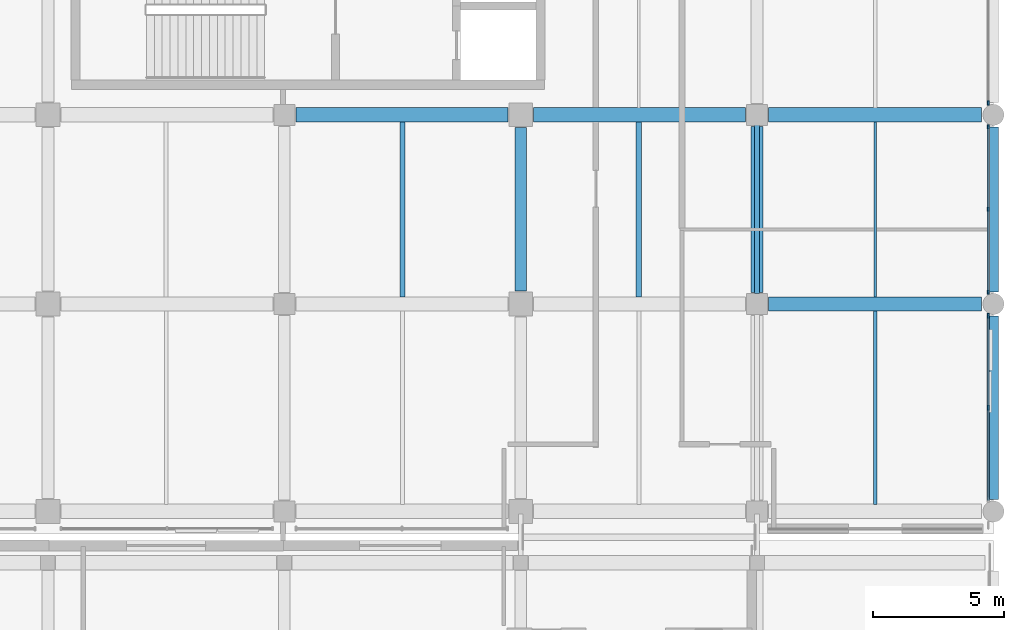
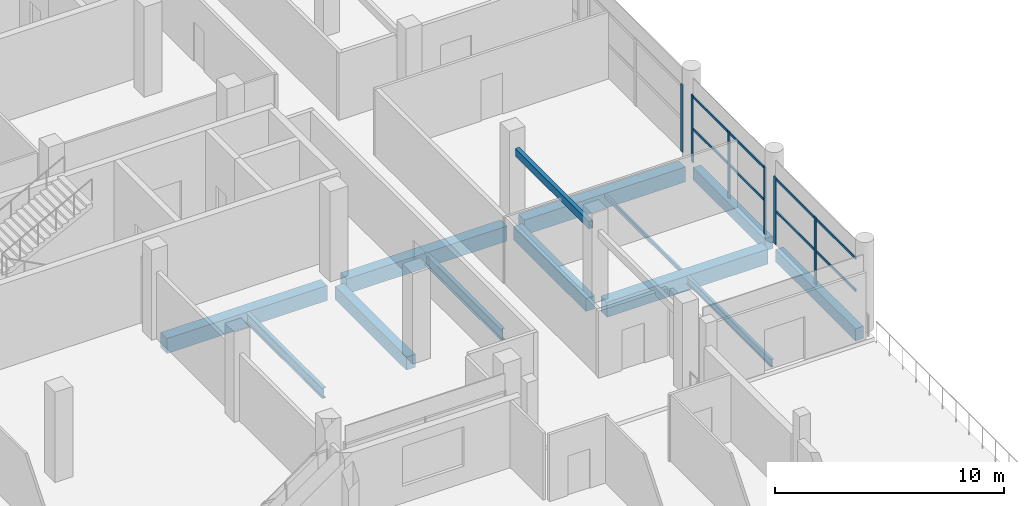
# One storey, part 31 of 111: 12 beams, 11 members, 3 elements without a shape of their own.
"""IFC4 building model written with IfcOpenShell, lengths in metres."""

from ifc_helpers import new_model, si_unit, direction, frame, origin, origin_2d, place, context, subcontext, project, spatial, rectangle, hollow_rectangle, i_section, extrude, material, material_profile, profile_set, type_object, element, aggregate, save


model = new_model("IFC4")

# Units and contexts
model_context = context("Model", 3, precision=1e-05, world=origin(), true_north=direction((0.0, 1.0)))
body_context = subcontext(model_context, "Body", "Model", "MODEL_VIEW")
ifc_project = project(units=[si_unit("LENGTHUNIT", "METRE"), si_unit("AREAUNIT", "SQUARE_METRE"), si_unit("VOLUMEUNIT", "CUBIC_METRE"), si_unit("PLANEANGLEUNIT", "RADIAN"), si_unit("MASSUNIT", "GRAM", prefix="KILO"), si_unit("THERMODYNAMICTEMPERATUREUNIT", "KELVIN"), si_unit("POWERUNIT", "WATT")], contexts=[model_context])

# Site, building, storey
site_placement = place(None, origin())
site = spatial("IfcSite", under=ifc_project, at=site_placement, CompositionType="ELEMENT")
building_placement = place(site_placement, origin())
building = spatial("IfcBuilding", under=site, at=building_placement, Name="Sindhuravela Promenade Stadium", CompositionType="ELEMENT")
storey_placement = place(building_placement, frame((0.0, 0.0, 9.60009765625)))
storey = spatial("IfcBuildingStorey", under=building, at=storey_placement, Name="L02", CompositionType="ELEMENT", Elevation=9.60009765625)

# Curtain wall, member
ifc_material_1 = material(Name="Anodised architectural aluminium 6063-T6", Category="aluminium")
curtain_wall_type_1 = type_object("IfcCurtainWallType", Name="CW-MOD-3", PredefinedType="NOTDEFINED", material=ifc_material_1)
curtain_wall_1_placement = place(storey_placement, origin())
curtain_wall_1 = element("IfcCurtainWall", 1, at=curtain_wall_1_placement, inside=storey, type_object=curtain_wall_type_1, Name="Bronze curtain wall CW-EAST-L02-114", PredefinedType="NOTDEFINED")
ifc_material_profile_1 = material_profile(ifc_material_1, rectangle(XDim=0.074951171875, YDim=0.175048828125, at=origin_2d()), Name="ALU MULL 75x175")
ifc_profile_set_1 = profile_set([ifc_material_profile_1], Name="Anodised architectural aluminium 6063-T6")
member_type_1 = type_object("IfcMemberType", Name="CW-MUL-1", PredefinedType="MULLION", material=ifc_profile_set_1)
member_1_placement = place(storey_placement, frame((215.800048828125, 52.64990234375, 0.0), z_axis=(0.0, 0.0, 1.0), x_axis=(1.0, 0.0, 0.0)))
member_1 = element("IfcMember", 2, at=member_1_placement, type_object=member_type_1, Name="Curtain wall mullion CW-EAST-L02-114-M3", PredefinedType="MULLION", context=body_context, shape_type="SweptSolid", body=[
    extrude(rectangle(XDim=0.074951171875, YDim=0.175048828125, at=origin_2d()), origin(), (0.0, 0.0, 1.0), 3.579833984375),
])
aggregate(curtain_wall_1, [member_1])

# Curtain wall, members
curtain_wall_type_2 = type_object("IfcCurtainWallType", Name="CW-MOD-4", PredefinedType="NOTDEFINED", material=ifc_material_1)
curtain_wall_2_placement = place(storey_placement, origin())
curtain_wall_2 = element("IfcCurtainWall", 3, at=curtain_wall_2_placement, inside=storey, type_object=curtain_wall_type_2, Name="Bronze curtain wall CW-EAST-L02-115", PredefinedType="NOTDEFINED")
ifc_material_profile_2 = material_profile(ifc_material_1, rectangle(XDim=0.06494140625, YDim=0.14990234375, at=origin_2d()), Name="ALU MULL 65x150")
ifc_profile_set_2 = profile_set([ifc_material_profile_2], Name="Anodised architectural aluminium 6063-T6")
member_type_2 = type_object("IfcMemberType", Name="CW-MUL-2", PredefinedType="MULLION", material=ifc_profile_set_2)
member_2_placement = place(storey_placement, frame((215.800048828125, 51.75, 0.0), z_axis=(0.0, 0.0, 1.0), x_axis=(1.0, 0.0, 0.0)))
member_2 = element("IfcMember", 4, at=member_2_placement, type_object=member_type_2, Name="Curtain wall mullion CW-EAST-L02-115-M1", PredefinedType="MULLION", context=body_context, shape_type="SweptSolid", body=[
    extrude(rectangle(XDim=0.06494140625, YDim=0.14990234375, at=origin_2d()), origin(), (0.0, 0.0, 1.0), 3.579833984375),
])
member_3_placement = place(storey_placement, frame((215.800048828125, 48.60009765625, 0.0), z_axis=(0.0, 0.0, 1.0), x_axis=(1.0, 0.0, 0.0)))
member_3 = element("IfcMember", 5, at=member_3_placement, type_object=member_type_2, Name="Curtain wall mullion CW-EAST-L02-115-M2", PredefinedType="MULLION", context=body_context, shape_type="SweptSolid", body=[
    extrude(rectangle(XDim=0.06494140625, YDim=0.14990234375, at=origin_2d()), origin(), (0.0, 0.0, 1.0), 3.579833984375),
])
member_4_placement = place(storey_placement, frame((215.800048828125, 45.449951171875, 0.0), z_axis=(0.0, 0.0, 1.0), x_axis=(1.0, 0.0, 0.0)))
member_4 = element("IfcMember", 6, at=member_4_placement, type_object=member_type_2, Name="Curtain wall mullion CW-EAST-L02-115-M3", PredefinedType="MULLION", context=body_context, shape_type="SweptSolid", body=[
    extrude(rectangle(XDim=0.06494140625, YDim=0.14990234375, at=origin_2d()), origin(), (0.0, 0.0, 1.0), 3.579833984375),
])

curtain_wall_type_3 = type_object("IfcCurtainWallType", Name="CW-MOD-5", PredefinedType="NOTDEFINED", material=ifc_material_1)
curtain_wall_3_placement = place(storey_placement, origin())
curtain_wall_3 = element("IfcCurtainWall", 7, at=curtain_wall_3_placement, inside=storey, type_object=curtain_wall_type_3, Name="Bronze curtain wall CW-EAST-L02-116", PredefinedType="NOTDEFINED")
ifc_material_profile_3 = material_profile(ifc_material_1, rectangle(XDim=0.06005859375, YDim=0.179931640625, at=origin_2d()), Name="ALU M60x180")
ifc_profile_set_3 = profile_set([ifc_material_profile_3], Name="Anodised architectural aluminium 6063-T6")
member_type_3 = type_object("IfcMemberType", Name="CW-MUL-3", PredefinedType="MULLION", material=ifc_profile_set_3)
member_5_placement = place(storey_placement, frame((215.800048828125, 44.550048828125, 0.0), z_axis=(0.0, 0.0, 1.0), x_axis=(1.0, 0.0, 0.0)))
member_5 = element("IfcMember", 8, at=member_5_placement, type_object=member_type_3, Name="Curtain wall mullion CW-EAST-L02-116-M1", PredefinedType="MULLION", context=body_context, shape_type="SweptSolid", body=[
    extrude(rectangle(XDim=0.06005859375, YDim=0.179931640625, at=origin_2d()), origin(), (0.0, 0.0, 1.0), 3.579833984375),
])
member_6_placement = place(storey_placement, frame((215.800048828125, 41.050048828125, 0.0), z_axis=(0.0, 0.0, 1.0), x_axis=(1.0, 0.0, 0.0)))
member_6 = element("IfcMember", 9, at=member_6_placement, type_object=member_type_3, Name="Curtain wall mullion CW-EAST-L02-116-M2", PredefinedType="MULLION", context=body_context, shape_type="SweptSolid", body=[
    extrude(rectangle(XDim=0.06005859375, YDim=0.179931640625, at=origin_2d()), origin(), (0.0, 0.0, 1.0), 3.579833984375),
])

# Member
ifc_material_profile_4 = material_profile(ifc_material_1, rectangle(XDim=0.06494140625, YDim=0.125, at=origin_2d()), Name="ALU TRAN 65x125")
ifc_profile_set_4 = profile_set([ifc_material_profile_4], Name="Anodised architectural aluminium 6063-T6")
member_type_4 = type_object("IfcMemberType", Name="CW-TRN-2", PredefinedType="USERDEFINED", material=ifc_profile_set_4)
member_7_placement = place(storey_placement, frame((215.800048828125, 51.77490234375, 1.789794921875), z_axis=(0.0, -1.0, 0.0), x_axis=(1.0, 0.0, 0.0)))
member_7 = element("IfcMember", 10, at=member_7_placement, type_object=member_type_4, Name="Curtain wall transom CW-EAST-L02-115-T1", ObjectType="TRANSOM", PredefinedType="USERDEFINED", context=body_context, shape_type="SweptSolid", body=[
    extrude(rectangle(XDim=0.06494140625, YDim=0.125, at=origin_2d()), origin(), (0.0, 0.0, 1.0), 6.349853515625),
])

member_8_placement = place(storey_placement, frame((215.800048828125, 51.77490234375, 3.5), z_axis=(0.0, -1.0, 0.0), x_axis=(1.0, 0.0, 0.0)))
member_8 = element("IfcMember", 11, at=member_8_placement, type_object=member_type_4, Name="Curtain wall transom CW-EAST-L02-115-T2", ObjectType="TRANSOM", PredefinedType="USERDEFINED", context=body_context, shape_type="SweptSolid", body=[
    extrude(rectangle(XDim=0.06494140625, YDim=0.125, at=origin_2d()), origin(), (0.0, 0.0, 1.0), 6.349853515625),
])

aggregate(curtain_wall_2, [member_2, member_3, member_4, member_7, member_8])

ifc_material_profile_5 = material_profile(ifc_material_1, rectangle(XDim=0.06005859375, YDim=0.1298828125, at=origin_2d()), Name="ALU T60x130")
ifc_profile_set_5 = profile_set([ifc_material_profile_5], Name="Anodised architectural aluminium 6063-T6")
member_type_5 = type_object("IfcMemberType", Name="CW-TRN-3", PredefinedType="USERDEFINED", material=ifc_profile_set_5)
member_9_placement = place(storey_placement, frame((215.800048828125, 44.574951171875, 1.789794921875), z_axis=(0.0, -1.0, 0.0), x_axis=(1.0, 0.0, 0.0)))
member_9 = element("IfcMember", 12, at=member_9_placement, type_object=member_type_5, Name="Curtain wall transom CW-EAST-L02-116-T1", ObjectType="TRANSOM", PredefinedType="USERDEFINED", context=body_context, shape_type="SweptSolid", body=[
    extrude(rectangle(XDim=0.06005859375, YDim=0.1298828125, at=origin_2d()), origin(), (0.0, 0.0, 1.0), 7.050048828125),
])

member_10_placement = place(storey_placement, frame((215.800048828125, 44.574951171875, 3.5), z_axis=(0.0, -1.0, 0.0), x_axis=(1.0, 0.0, 0.0)))
member_10 = element("IfcMember", 13, at=member_10_placement, type_object=member_type_5, Name="Curtain wall transom CW-EAST-L02-116-T2", ObjectType="TRANSOM", PredefinedType="USERDEFINED", context=body_context, shape_type="SweptSolid", body=[
    extrude(rectangle(XDim=0.06005859375, YDim=0.1298828125, at=origin_2d()), origin(), (0.0, 0.0, 1.0), 7.050048828125),
])

aggregate(curtain_wall_3, [member_5, member_6, member_9, member_10])

# Beams
ifc_material_2 = material(Name="Concrete M40", Category="concrete")
ifc_material_profile_6 = material_profile(ifc_material_2, rectangle(XDim=0.39990234375, YDim=0.64990234375, at=origin_2d()), Name="RC 400x650")
ifc_profile_set_6 = profile_set([ifc_material_profile_6], Name="Concrete M40")
beam_type_1 = type_object("IfcBeamType", Name="RC-BM-400x650", PredefinedType="SPANDREL", material=ifc_profile_set_6)
beam_1_placement = place(storey_placement, frame((216.0, 37.56494140625, -0.60498046875), z_axis=(0.0, 1.0, 0.0), x_axis=(-1.0, 0.0, 0.0)))
element("IfcBeam", 14, at=beam_1_placement, inside=storey, type_object=beam_type_1, Name="Primary beam SP01 EAST L02", PredefinedType="SPANDREL", context=body_context, shape_type="SweptSolid", body=[
    extrude(rectangle(XDim=0.39990234375, YDim=0.64990234375, at=origin_2d()), origin(), (0.0, 0.0, 1.0), 6.969970703125),
])
beam_2_placement = place(storey_placement, frame((216.0, 45.465087890625, -0.60498046875), z_axis=(0.0, 1.0, 0.0), x_axis=(-1.0, 0.0, 0.0)))
element("IfcBeam", 15, at=beam_2_placement, inside=storey, type_object=beam_type_1, Name="Primary beam SP01 EAST L02", PredefinedType="SPANDREL", context=body_context, shape_type="SweptSolid", body=[
    extrude(rectangle(XDim=0.39990234375, YDim=0.64990234375, at=origin_2d()), origin(), (0.0, 0.0, 1.0), 6.27001953125),
])
ifc_material_profile_7 = material_profile(ifc_material_2, rectangle(XDim=0.449951171875, YDim=0.699951171875, at=origin_2d()), Name="RC 450x700")
ifc_profile_set_7 = profile_set([ifc_material_profile_7], Name="Concrete M40")
beam_type_2 = type_object("IfcBeamType", Name="RC-BM-450x700", PredefinedType="BEAM", material=ifc_profile_set_7)
beam_3_placement = place(storey_placement, frame((198.0, 45.489990234375, -0.630126953125), z_axis=(0.0, 1.0, 0.0), x_axis=(-1.0, 0.0, 0.0)))
element("IfcBeam", 16, at=beam_3_placement, inside=storey, type_object=beam_type_2, Name="Primary beam GB07 EAST L02", PredefinedType="BEAM", context=body_context, shape_type="SweptSolid", body=[
    extrude(rectangle(XDim=0.449951171875, YDim=0.699951171875, at=origin_2d()), origin(), (0.0, 0.0, 1.0), 6.219970703125),
])
beam_4_placement = place(storey_placement, frame((207.0, 45.43994140625, -0.630126953125), z_axis=(0.0, 1.0, 0.0), x_axis=(-1.0, 0.0, 0.0)))
element("IfcBeam", 17, at=beam_4_placement, inside=storey, type_object=beam_type_2, Name="Primary beam GB07 EAST L02", PredefinedType="BEAM", context=body_context, shape_type="SweptSolid", body=[
    extrude(rectangle(XDim=0.449951171875, YDim=0.699951171875, at=origin_2d()), origin(), (0.0, 0.0, 1.0), 6.320068359375),
])
ifc_material_profile_8 = material_profile(ifc_material_2, rectangle(XDim=0.550048828125, YDim=0.800048828125, at=origin_2d()), Name="RC 550x800")
ifc_profile_set_8 = profile_set([ifc_material_profile_8], Name="Concrete M40")
beam_type_3 = type_object("IfcBeamType", Name="RC-BM-550x800", PredefinedType="BEAM", material=ifc_profile_set_8)
beam_5_placement = place(storey_placement, frame((207.43994140625, 45.0, -0.68017578125), z_axis=(1.0, 0.0, 0.0), x_axis=(0.0, 1.0, 0.0)))
element("IfcBeam", 18, at=beam_5_placement, inside=storey, type_object=beam_type_3, Name="Primary girder GB05 EAST L02", PredefinedType="BEAM", context=body_context, shape_type="SweptSolid", body=[
    extrude(rectangle(XDim=0.550048828125, YDim=0.800048828125, at=origin_2d()), origin(), (0.0, 0.0, 1.0), 8.094970703125),
])
for number, where, z_axis, x_axis, name in (
    (19, (189.43994140625, 52.199951171875, -0.68017578125), (1.0, 0.0, 0.0), (0.0, 1.0, 0.0), "Primary girder GB05 EAST L02"),
    (20, (198.489990234375, 52.199951171875, -0.68017578125), (1.0, 0.0, 0.0), (0.0, 1.0, 0.0), "Primary girder GB05 EAST L02"),
):
    element("IfcBeam", number, at=place(storey_placement, frame(where, z_axis=z_axis, x_axis=x_axis)), inside=storey, type_object=beam_type_3, Name=name, PredefinedType="BEAM", context=body_context, shape_type="SweptSolid", body=[
        extrude(rectangle(XDim=0.550048828125, YDim=0.800048828125, at=origin_2d()), origin(), (0.0, 0.0, 1.0), 8.070068359375),
    ])
beam_6_placement = place(storey_placement, frame((207.43994140625, 52.199951171875, -0.68017578125), z_axis=(1.0, 0.0, 0.0), x_axis=(0.0, 1.0, 0.0)))
element("IfcBeam", 21, at=beam_6_placement, inside=storey, type_object=beam_type_3, Name="Primary girder GB05 EAST L02", PredefinedType="BEAM", context=body_context, shape_type="SweptSolid", body=[
    extrude(rectangle(XDim=0.550048828125, YDim=0.800048828125, at=origin_2d()), origin(), (0.0, 0.0, 1.0), 8.094970703125),
])
ifc_material_3 = material(Name="Steel E350 (IS 2062 E350BR)", Category="steel")
ifc_material_profile_9 = material_profile(ifc_material_3, hollow_rectangle(XDim=0.10009765625, YDim=0.199951171875, WallThickness=0.008056640625, at=origin_2d()), Name="RHS 200x100x8")
ifc_profile_set_9 = profile_set([ifc_material_profile_9], Name="Steel E350 (IS 2062 E350BR)")
beam_type_4 = type_object("IfcBeamType", Name="ST-BM-LNT200", PredefinedType="LINTEL", material=ifc_profile_set_9)
beam_7_placement = place(storey_placement, frame((211.5, 45.264892578125, -0.380126953125), z_axis=(0.0, 1.0, 0.0), x_axis=(-1.0, 0.0, 0.0)))
element("IfcBeam", 22, at=beam_7_placement, inside=storey, type_object=beam_type_4, Name="Secondary floor joist LN01 EAST L02", PredefinedType="LINTEL", context=body_context, shape_type="SweptSolid", body=[
    extrude(hollow_rectangle(XDim=0.10009765625, YDim=0.199951171875, WallThickness=0.008056640625, at=origin_2d()), origin(), (0.0, 0.0, 1.0), 6.670166015625),
])
ifc_material_profile_10 = material_profile(ifc_material_3, i_section(OverallWidth=0.139892578125, OverallDepth=0.39990234375, WebThickness=0.0087890625, FlangeThickness=0.01611328125, FilletRadius=0.013916015625, at=origin_2d()), Name="ISMB 400")
ifc_profile_set_10 = profile_set([ifc_material_profile_10], Name="Steel E350 (IS 2062 E350BR)")
beam_type_5 = type_object("IfcBeamType", Name="ST-BM-MB400", PredefinedType="BEAM", material=ifc_profile_set_10)
beam_8_placement = place(storey_placement, frame((211.5, 37.364990234375, -0.47998046875), z_axis=(0.0, 1.0, 0.0), x_axis=(-1.0, 0.0, 0.0)))
element("IfcBeam", 23, at=beam_8_placement, inside=storey, type_object=beam_type_5, Name="Secondary floor joist SB05 EAST L02", PredefinedType="BEAM", context=body_context, shape_type="SweptSolid", body=[
    extrude(i_section(OverallWidth=0.139892578125, OverallDepth=0.39990234375, WebThickness=0.0087890625, FlangeThickness=0.01611328125, FilletRadius=0.013916015625, at=origin_2d()), origin(), (0.0, 0.0, 1.0), 7.3701171875),
])
ifc_material_profile_11 = material_profile(ifc_material_3, i_section(OverallWidth=0.18994140625, OverallDepth=0.550048828125, WebThickness=0.01123046875, FlangeThickness=0.019287109375, FilletRadius=0.01806640625, at=origin_2d()), Name="ISMB 550")
ifc_profile_set_11 = profile_set([ifc_material_profile_11], Name="Steel E350 (IS 2062 E350BR)")
beam_type_6 = type_object("IfcBeamType", Name="ST-BM-MB550", PredefinedType="SPANDREL", material=ifc_profile_set_11)
beam_9_placement = place(storey_placement, frame((193.5, 45.264892578125, -0.55517578125), z_axis=(0.0, 1.0, 0.0), x_axis=(-1.0, 0.0, 0.0)))
element("IfcBeam", 24, at=beam_9_placement, inside=storey, type_object=beam_type_6, Name="Secondary floor joist SB08 EAST L02", PredefinedType="SPANDREL", context=body_context, shape_type="SweptSolid", body=[
    extrude(i_section(OverallWidth=0.18994140625, OverallDepth=0.550048828125, WebThickness=0.01123046875, FlangeThickness=0.019287109375, FilletRadius=0.01806640625, at=origin_2d()), origin(), (0.0, 0.0, 1.0), 6.670166015625),
])
ifc_material_profile_12 = material_profile(ifc_material_3, i_section(OverallWidth=0.2099609375, OverallDepth=0.60009765625, WebThickness=0.011962890625, FlangeThickness=0.020751953125, FilletRadius=0.02001953125, at=origin_2d()), Name="ISMB 600")
ifc_profile_set_12 = profile_set([ifc_material_profile_12], Name="Steel E350 (IS 2062 E350BR)")
beam_type_7 = type_object("IfcBeamType", Name="ST-BM-MB600", PredefinedType="BEAM", material=ifc_profile_set_12)
beam_10_placement = place(storey_placement, frame((202.5, 45.264892578125, -0.580078125), z_axis=(0.0, 1.0, 0.0), x_axis=(-1.0, 0.0, 0.0)))
element("IfcBeam", 25, at=beam_10_placement, inside=storey, type_object=beam_type_7, Name="Secondary floor joist SB09 EAST L02", PredefinedType="BEAM", context=body_context, shape_type="SweptSolid", body=[
    extrude(i_section(OverallWidth=0.2099609375, OverallDepth=0.60009765625, WebThickness=0.011962890625, FlangeThickness=0.020751953125, FilletRadius=0.02001953125, at=origin_2d()), origin(), (0.0, 0.0, 1.0), 6.670166015625),
])

# Member
ifc_material_profile_13 = material_profile(ifc_material_3, hollow_rectangle(XDim=0.199951171875, YDim=0.39990234375, WallThickness=0.011962890625, at=origin_2d()), Name="RHS 400x200x12")
ifc_profile_set_13 = profile_set([ifc_material_profile_13], Name="Steel E350 (IS 2062 E350BR)")
member_type_6 = type_object("IfcMemberType", Name="ST-MB-RHS400", PredefinedType="CHORD", material=ifc_profile_set_13)
member_11_placement = place(storey_placement, frame((207.0, 45.39208984375, 3.599853515625), z_axis=(0.0, 1.0, 0.0), x_axis=(-1.0, 0.0, 0.0)))
element("IfcMember", 26, at=member_11_placement, inside=storey, type_object=member_type_6, Name="Portal tie member MC03-19", PredefinedType="CHORD", context=body_context, shape_type="SweptSolid", body=[
    extrude(hollow_rectangle(XDim=0.199951171875, YDim=0.39990234375, WallThickness=0.011962890625, at=origin_2d()), origin(), (0.0, 0.0, 1.0), 6.416015625),
])

save(model, "model.ifc")
